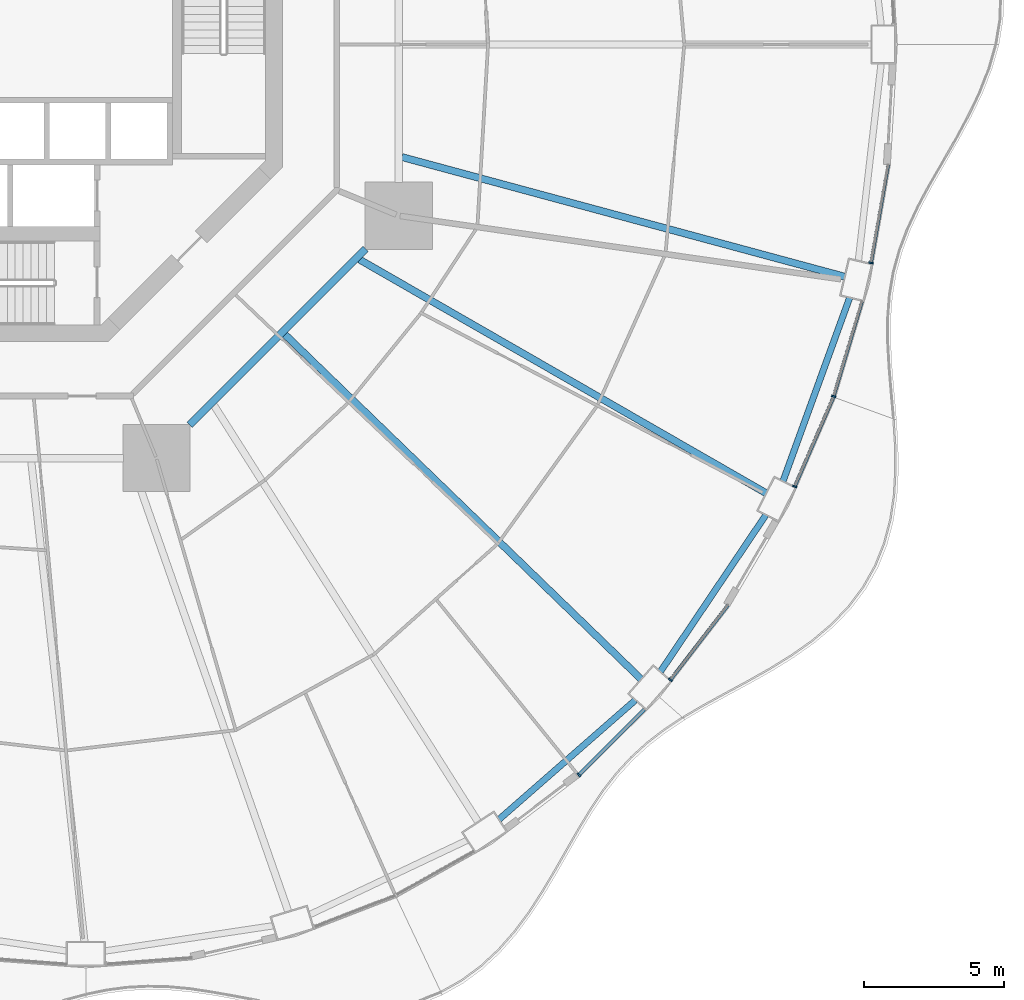
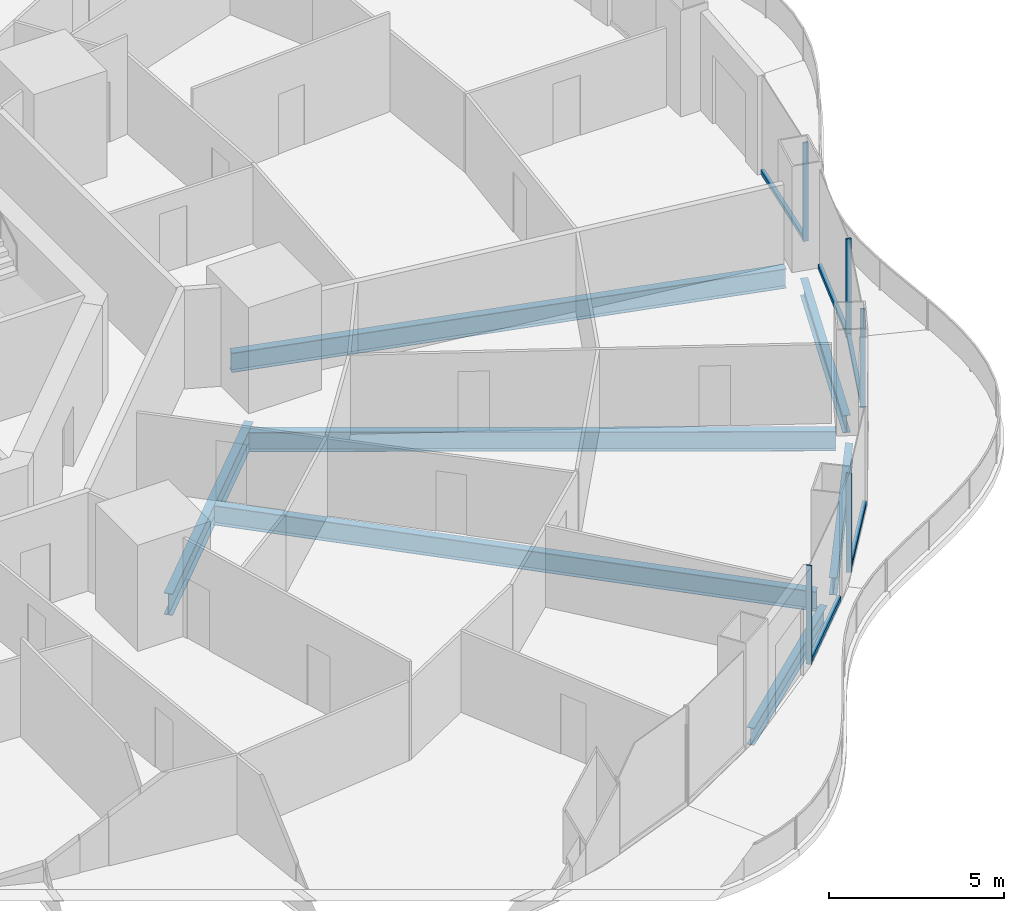
# One storey, part 5 of 22: 10 members, 7 beams, 5 elements without a shape of their own.
"""IFC4 building model written with IfcOpenShell, lengths in metres."""

from ifc_helpers import new_model, si_unit, direction, frame, origin, origin_2d, place, context, subcontext, project, spatial, rectangle, i_section, extrude, material, layer, layer_set, material_profile, profile_set, type_object, element, aggregate, save


model = new_model("IFC4")

# Units and contexts
model_context = context("Model", 3, precision=1e-05, world=origin(), true_north=direction((0.0, 1.0)))
body_context = subcontext(model_context, "Body", "Model", "MODEL_VIEW")
ifc_project = project(units=[si_unit("LENGTHUNIT", "METRE"), si_unit("AREAUNIT", "SQUARE_METRE"), si_unit("VOLUMEUNIT", "CUBIC_METRE"), si_unit("PLANEANGLEUNIT", "RADIAN"), si_unit("MASSUNIT", "GRAM", prefix="KILO")], contexts=[model_context])

# Site, building, storey
site_placement = place(None, origin())
site = spatial("IfcSite", under=ifc_project, at=site_placement, CompositionType="ELEMENT")
building_placement = place(site_placement, origin())
building = spatial("IfcBuilding", under=site, at=building_placement, Name="Nagisa Residences", CompositionType="ELEMENT")
storey_placement = place(building_placement, frame((0.0, 0.0, 30.699951171875)))
storey = spatial("IfcBuildingStorey", under=building, at=storey_placement, Name="L06", CompositionType="ELEMENT", Elevation=30.699951171875)

# Curtain wall, member
ifc_material_1 = material(Name="Concrete-coloured aluminium curtain wall system", Category="concrete")
ifc_layer = layer(ifc_material_1, 0.159912109375)
ifc_layer_set = layer_set([ifc_layer], Name="CW1 CURTAIN WALL")
curtain_wall_type = type_object("IfcCurtainWallType", Name="CW1 CURTAIN WALL", PredefinedType="NOTDEFINED", material=ifc_layer_set)
curtain_wall_1_placement = place(storey_placement, origin())
curtain_wall_1 = element("IfcCurtainWall", 1, at=curtain_wall_1_placement, inside=storey, type_object=curtain_wall_type, Name="cw:CW1:L06:41", PredefinedType="NOTDEFINED")
ifc_material_2 = material(Name="Concrete-coloured aluminium", Category="concrete")
ifc_material_profile_1 = material_profile(ifc_material_2, rectangle(XDim=0.159912109375, YDim=0.06005859375, at=origin_2d()), Name="CW1 MULLION 160x60")
ifc_profile_set_1 = profile_set([ifc_material_profile_1], Name="Concrete-coloured aluminium")
member_type_1 = type_object("IfcMemberType", Name="CW1 MULLION 160x60", PredefinedType="MULLION", material=ifc_profile_set_1)
member_1_placement = place(storey_placement, frame((21.21875, -26.102783203125, 0.0), z_axis=(0.0, 0.0, 1.0), x_axis=(-0.706376885714, 0.707835924016, 0.0)))
member_1 = element("IfcMember", 2, at=member_1_placement, type_object=member_type_1, Name="CW1 mullion", PredefinedType="MULLION", context=body_context, shape_type="SweptSolid", body=[
    extrude(rectangle(XDim=0.159912109375, YDim=0.06005859375, at=origin_2d()), origin(), (0.0, 0.0, 1.0), 3.43994140625),
])

curtain_wall_2_placement = place(storey_placement, origin())
curtain_wall_2 = element("IfcCurtainWall", 3, at=curtain_wall_2_placement, inside=storey, type_object=curtain_wall_type, Name="cw:CW1:L06:42", PredefinedType="NOTDEFINED")
member_2_placement = place(storey_placement, frame((24.48828125, -22.70751953125, 0.0), z_axis=(0.0, 0.0, 1.0), x_axis=(-0.792070340816, 0.610429828235, 0.0)))
member_2 = element("IfcMember", 4, at=member_2_placement, type_object=member_type_1, Name="CW1 mullion", PredefinedType="MULLION", context=body_context, shape_type="SweptSolid", body=[
    extrude(rectangle(XDim=0.159912109375, YDim=0.06005859375, at=origin_2d()), origin(), (0.0, 0.0, 1.0), 3.43994140625),
])

curtain_wall_3_placement = place(storey_placement, origin())
curtain_wall_3 = element("IfcCurtainWall", 5, at=curtain_wall_3_placement, inside=storey, type_object=curtain_wall_type, Name="cw:CW1:L06:44", PredefinedType="NOTDEFINED")
member_3_placement = place(storey_placement, frame((28.931640625, -15.79833984375, 0.0), z_axis=(0.0, 0.0, 1.0), x_axis=(-0.917543276295, 0.397635934147, 0.0)))
member_3 = element("IfcMember", 6, at=member_3_placement, type_object=member_type_1, Name="CW1 mullion", PredefinedType="MULLION", context=body_context, shape_type="SweptSolid", body=[
    extrude(rectangle(XDim=0.159912109375, YDim=0.06005859375, at=origin_2d()), origin(), (0.0, 0.0, 1.0), 3.43994140625),
])

curtain_wall_4_placement = place(storey_placement, origin())
curtain_wall_4 = element("IfcCurtainWall", 7, at=curtain_wall_4_placement, inside=storey, type_object=curtain_wall_type, Name="cw:CW1:L06:45", PredefinedType="NOTDEFINED")
member_4_placement = place(storey_placement, frame((30.324462890625, -12.576904296875, 0.0), z_axis=(0.0, 0.0, 1.0), x_axis=(-0.958271310082, 0.285860274038, 0.0)))
member_4 = element("IfcMember", 8, at=member_4_placement, type_object=member_type_1, Name="CW1 mullion", PredefinedType="MULLION", context=body_context, shape_type="SweptSolid", body=[
    extrude(rectangle(XDim=0.159912109375, YDim=0.06005859375, at=origin_2d()), origin(), (0.0, 0.0, 1.0), 3.43994140625),
])

curtain_wall_5_placement = place(storey_placement, origin())
curtain_wall_5 = element("IfcCurtainWall", 9, at=curtain_wall_5_placement, inside=storey, type_object=curtain_wall_type, Name="cw:CW1:L06:46", PredefinedType="NOTDEFINED")
member_5_placement = place(storey_placement, frame((31.65869140625, -7.80810546875, 0.0), z_axis=(0.0, 0.0, 1.0), x_axis=(-0.985063604377, 0.172190868898, 0.0)))
member_5 = element("IfcMember", 10, at=member_5_placement, type_object=member_type_1, Name="CW1 mullion", PredefinedType="MULLION", context=body_context, shape_type="SweptSolid", body=[
    extrude(rectangle(XDim=0.159912109375, YDim=0.06005859375, at=origin_2d()), origin(), (0.0, 0.0, 1.0), 3.43994140625),
])

# Member
ifc_material_3 = material(Name="Concrete-coloured aluminium", Category="concrete")
ifc_material_profile_2 = material_profile(ifc_material_3, rectangle(XDim=0.1201171875, YDim=0.14990234375, at=origin_2d()), Name="CW1 TRANSOM 120x150")
ifc_profile_set_2 = profile_set([ifc_material_profile_2], Name="Concrete-coloured aluminium")
member_type_2 = type_object("IfcMemberType", Name="CW1 TRANSOM 120x150", PredefinedType="USERDEFINED", material=ifc_profile_set_2)
member_6_placement = place(storey_placement, frame((21.197509765625, -26.1240234375, 0.074951171875), z_axis=(0.707876350734, 0.706336373176, 0.0), x_axis=(-0.706336373176, 0.707876350734, 0.0)))
member_6 = element("IfcMember", 11, at=member_6_placement, type_object=member_type_2, Name="CW1 transom", ObjectType="TRANSOM", PredefinedType="USERDEFINED", context=body_context, shape_type="SweptSolid", body=[
    extrude(rectangle(XDim=0.1201171875, YDim=0.14990234375, at=origin_2d()), origin(), (0.0, 0.0, 1.0), 3.329345703125),
])

aggregate(curtain_wall_1, [member_1, member_6])

member_7_placement = place(storey_placement, frame((24.469970703125, -22.731201171875, 0.074951171875), z_axis=(0.610457147657, 0.792049285635, 0.0), x_axis=(-0.792049285635, 0.610457147657, 0.0)))
member_7 = element("IfcMember", 12, at=member_7_placement, type_object=member_type_2, Name="CW1 transom", ObjectType="TRANSOM", PredefinedType="USERDEFINED", context=body_context, shape_type="SweptSolid", body=[
    extrude(rectangle(XDim=0.1201171875, YDim=0.14990234375, at=origin_2d()), origin(), (0.0, 0.0, 1.0), 3.3974609375),
])

aggregate(curtain_wall_2, [member_2, member_7])

member_8_placement = place(storey_placement, frame((28.919677734375, -15.825927734375, 0.074951171875), z_axis=(0.397624958345, 0.917548032803, 0.0), x_axis=(-0.917548032803, 0.397624958345, 0.0)))
member_8 = element("IfcMember", 13, at=member_8_placement, type_object=member_type_2, Name="CW1 transom", ObjectType="TRANSOM", PredefinedType="USERDEFINED", context=body_context, shape_type="SweptSolid", body=[
    extrude(rectangle(XDim=0.1201171875, YDim=0.14990234375, at=origin_2d()), origin(), (0.0, 0.0, 1.0), 3.51953125),
])

aggregate(curtain_wall_3, [member_3, member_8])

member_9_placement = place(storey_placement, frame((30.31591796875, -12.605712890625, 0.074951171875), z_axis=(0.285871309426, 0.958268018065, 0.0), x_axis=(-0.958268018065, 0.285871309426, 0.0)))
member_9 = element("IfcMember", 14, at=member_9_placement, type_object=member_type_2, Name="CW1 transom", ObjectType="TRANSOM", PredefinedType="USERDEFINED", context=body_context, shape_type="SweptSolid", body=[
    extrude(rectangle(XDim=0.1201171875, YDim=0.14990234375, at=origin_2d()), origin(), (0.0, 0.0, 1.0), 3.5654296875),
])

aggregate(curtain_wall_4, [member_4, member_9])

member_10_placement = place(storey_placement, frame((31.653564453125, -7.837646484375, 0.074951171875), z_axis=(0.172228889385, 0.985056957572, 0.0), x_axis=(-0.985056957572, 0.172228889385, 0.0)))
member_10 = element("IfcMember", 15, at=member_10_placement, type_object=member_type_2, Name="CW1 transom", ObjectType="TRANSOM", PredefinedType="USERDEFINED", context=body_context, shape_type="SweptSolid", body=[
    extrude(rectangle(XDim=0.1201171875, YDim=0.14990234375, at=origin_2d()), origin(), (0.0, 0.0, 1.0), 3.59765625),
])

aggregate(curtain_wall_5, [member_5, member_10])

# Beams
ifc_material_4 = material(Name="Steel ASTM A572 Gr 50", Category="steel")
ifc_material_profile_3 = material_profile(ifc_material_4, i_section(OverallWidth=0.264892578125, OverallDepth=0.7529296875, WebThickness=0.01318359375, FlangeThickness=0.01708984375, at=origin_2d()), Name="W760x147")
ifc_profile_set_3 = profile_set([ifc_material_profile_3], Name="Steel ASTM A572 Gr 50")
beam_type_1 = type_object("IfcBeamType", Name="Inner ring beam W760x147", PredefinedType="BEAM", material=ifc_profile_set_3)
beam_1_placement = place(storey_placement, frame((7.308837890625, -13.59619140625, -0.636474609375), z_axis=(0.707106781187, 0.707106781187, 0.0), x_axis=(-0.707106781187, 0.707106781187, 0.0)))
element("IfcBeam", 16, at=beam_1_placement, inside=storey, type_object=beam_type_1, Name="beam:L06:ib7", PredefinedType="BEAM", context=body_context, shape_type="SweptSolid", body=[
    extrude(i_section(OverallWidth=0.264892578125, OverallDepth=0.7529296875, WebThickness=0.01318359375, FlangeThickness=0.01708984375, at=origin_2d()), origin(), (0.0, 0.0, 1.0), 8.8916015625),
])
ifc_material_5 = material(Name="Steel ASTM A572 Gr 50", Category="steel")
ifc_material_profile_4 = material_profile(ifc_material_5, i_section(OverallWidth=0.22802734375, OverallDepth=0.60302734375, WebThickness=0.010498046875, FlangeThickness=0.014892578125, at=origin_2d()), Name="W610x101")
ifc_profile_set_4 = profile_set([ifc_material_profile_4], Name="Steel ASTM A572 Gr 50")
beam_type_2 = type_object("IfcBeamType", Name="Perimeter ring beam W610x101", PredefinedType="BEAM", material=ifc_profile_set_4)
beam_2_placement = place(storey_placement, frame((18.36669921875, -27.693603515625, -0.5615234375), z_axis=(0.7525907186, 0.658488580217, 0.0), x_axis=(-0.658488580217, 0.7525907186, 0.0)))
element("IfcBeam", 17, at=beam_2_placement, inside=storey, type_object=beam_type_2, Name="beam:L06:pb21", PredefinedType="BEAM", context=body_context, shape_type="SweptSolid", body=[
    extrude(i_section(OverallWidth=0.22802734375, OverallDepth=0.60302734375, WebThickness=0.010498046875, FlangeThickness=0.014892578125, at=origin_2d()), origin(), (0.0, 0.0, 1.0), 6.470458984375),
])
beam_3_placement = place(storey_placement, frame((24.135498046875, -22.411865234375, -0.5615234375), z_axis=(0.558271879663, 0.829658067144, 0.0), x_axis=(-0.829658067144, 0.558271879663, 0.0)))
element("IfcBeam", 18, at=beam_3_placement, inside=storey, type_object=beam_type_2, Name="beam:L06:pb22", PredefinedType="BEAM", context=body_context, shape_type="SweptSolid", body=[
    extrude(i_section(OverallWidth=0.22802734375, OverallDepth=0.60302734375, WebThickness=0.010498046875, FlangeThickness=0.014892578125, at=origin_2d()), origin(), (0.0, 0.0, 1.0), 6.74169921875),
])
beam_4_placement = place(storey_placement, frame((28.515625, -15.60595703125, -0.5615234375), z_axis=(0.341411143183, 0.939914055279, 0.0), x_axis=(-0.939914055279, 0.341411143183, 0.0)))
element("IfcBeam", 19, at=beam_4_placement, inside=storey, type_object=beam_type_2, Name="beam:L06:pb23", PredefinedType="BEAM", context=body_context, shape_type="SweptSolid", body=[
    extrude(i_section(OverallWidth=0.22802734375, OverallDepth=0.60302734375, WebThickness=0.010498046875, FlangeThickness=0.014892578125, at=origin_2d()), origin(), (0.0, 0.0, 1.0), 6.96923828125),
])
ifc_material_6 = material(Name="Steel ASTM A572 Gr 50", Category="steel")
ifc_material_profile_5 = material_profile(ifc_material_6, i_section(OverallWidth=0.25390625, OverallDepth=0.68408203125, WebThickness=0.012451171875, FlangeThickness=0.018798828125, at=origin_2d()), Name="W690x140")
ifc_profile_set_5 = profile_set([ifc_material_profile_5], Name="Steel ASTM A572 Gr 50")
beam_type_3 = type_object("IfcBeamType", Name="Radial beam W690x140", PredefinedType="BEAM", material=ifc_profile_set_5)
beam_5_placement = place(storey_placement, frame((23.443115234375, -22.681640625, -0.60205078125), z_axis=(-0.718678305776, 0.695342716081, 0.0), x_axis=(-0.695342716081, -0.718678305776, 0.0)))
element("IfcBeam", 20, at=beam_5_placement, inside=storey, type_object=beam_type_3, Name="beam:L06:rb22", PredefinedType="BEAM", context=body_context, shape_type="SweptSolid", body=[
    extrude(i_section(OverallWidth=0.25390625, OverallDepth=0.68408203125, WebThickness=0.012451171875, FlangeThickness=0.018798828125, at=origin_2d()), origin(), (0.0, 0.0, 1.0), 17.722900390625),
])
beam_6_placement = place(storey_placement, frame((27.908447265625, -16.035400390625, -0.60205078125), z_axis=(-0.867068052258, 0.498189715623, 0.0), x_axis=(-0.498189715623, -0.867068052258, 0.0)))
element("IfcBeam", 21, at=beam_6_placement, inside=storey, type_object=beam_type_3, Name="beam:L06:rb23", PredefinedType="BEAM", context=body_context, shape_type="SweptSolid", body=[
    extrude(i_section(OverallWidth=0.25390625, OverallDepth=0.68408203125, WebThickness=0.012451171875, FlangeThickness=0.018798828125, at=origin_2d()), origin(), (0.0, 0.0, 1.0), 16.758056640625),
])
beam_7_placement = place(storey_placement, frame((30.713623046875, -8.29931640625, -0.60205078125), z_axis=(-0.965375968847, 0.260862490162, 0.0), x_axis=(-0.260862490162, -0.965375968847, 0.0)))
element("IfcBeam", 22, at=beam_7_placement, inside=storey, type_object=beam_type_3, Name="beam:L06:rb24", PredefinedType="BEAM", context=body_context, shape_type="SweptSolid", body=[
    extrude(i_section(OverallWidth=0.25390625, OverallDepth=0.68408203125, WebThickness=0.012451171875, FlangeThickness=0.018798828125, at=origin_2d()), origin(), (0.0, 0.0, 1.0), 16.3857421875),
])

save(model, "model.ifc")
